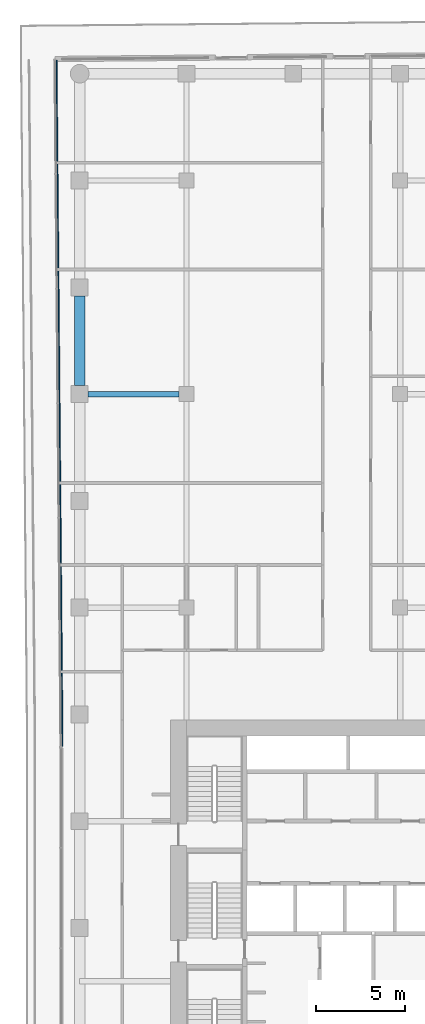
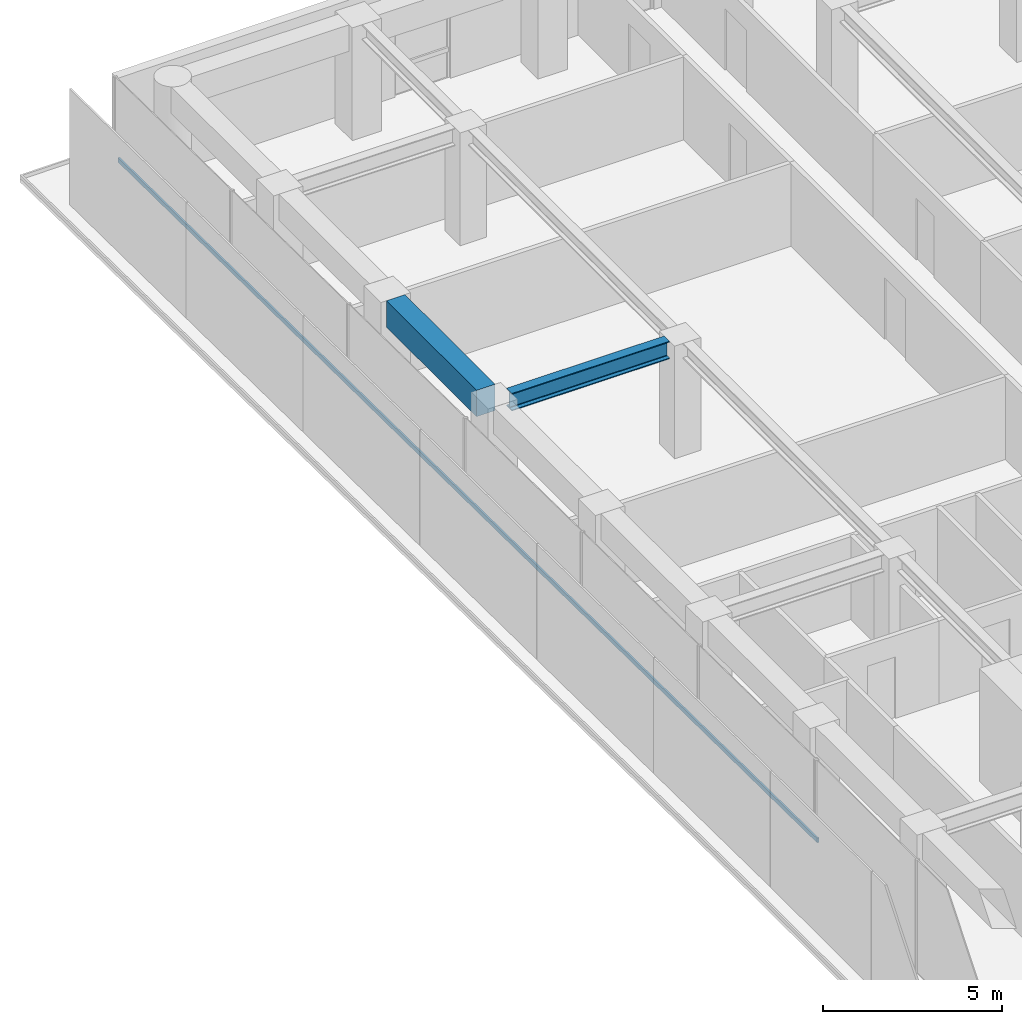
# One storey, part 15 of 28: 2 beams, 1 member, 1 element without a shape of its own.
"""IFC4 building model written with IfcOpenShell, lengths in metres."""

from ifc_helpers import new_model, si_unit, direction, frame, origin, origin_2d, place, context, subcontext, project, spatial, rectangle, i_section, extrude, material, layer, layer_set, material_profile, profile_set, type_object, element, aggregate, save


model = new_model("IFC4")

# Units and contexts
model_context = context("Model", 3, precision=1e-05, world=origin(), true_north=direction((0.0, 1.0)))
body_context = subcontext(model_context, "Body", "Model", "MODEL_VIEW")
ifc_project = project(units=[si_unit("LENGTHUNIT", "METRE"), si_unit("AREAUNIT", "SQUARE_METRE"), si_unit("VOLUMEUNIT", "CUBIC_METRE"), si_unit("PLANEANGLEUNIT", "RADIAN"), si_unit("MASSUNIT", "GRAM", prefix="KILO")], contexts=[model_context])

# Site, building, storey
site_placement = place(None, origin())
site = spatial("IfcSite", under=ifc_project, at=site_placement, CompositionType="ELEMENT")
building_placement = place(site_placement, origin())
building = spatial("IfcBuilding", under=site, at=building_placement, Name="Welwitschia Terrace Campus", CompositionType="ELEMENT")
storey_placement = place(building_placement, frame((0.0, 0.0, 54.199951171875)))
storey = spatial("IfcBuildingStorey", under=building, at=storey_placement, Name="L12", CompositionType="ELEMENT", Elevation=54.199951171875)

# Beams
ifc_material_1 = material(Name="Steel S355", Category="steel")
ifc_material_profile_1 = material_profile(ifc_material_1, i_section(OverallWidth=0.300048828125, OverallDepth=0.60009765625, WebThickness=0.015380859375, FlangeThickness=0.030029296875, FilletRadius=0.027099609375, at=origin_2d()))
ifc_profile_set_1 = profile_set([ifc_material_profile_1], Name="Steel S355")
beam_type_1 = type_object("IfcBeamType", Name="Primary beam HE 600 B", PredefinedType="BEAM", material=ifc_profile_set_1)
beam_1_placement = place(storey_placement, frame((0.4755859375, 44.0, 3.550048828125), z_axis=(1.0, 0.0, 0.0), x_axis=(0.0, 1.0, 0.0)))
element("IfcBeam", 1, at=beam_1_placement, inside=storey, type_object=beam_type_1, Name="Primary beam PB2", PredefinedType="BEAM", context=body_context, shape_type="SweptSolid", body=[
    extrude(i_section(OverallWidth=0.300048828125, OverallDepth=0.60009765625, WebThickness=0.015380859375, FlangeThickness=0.030029296875, FilletRadius=0.027099609375, at=origin_2d()), origin(), (0.0, 0.0, 1.0), 5.098876953125),
])
ifc_material_2 = material(Name="Concrete C60/75", Category="concrete")
ifc_material_profile_2 = material_profile(ifc_material_2, rectangle(XDim=0.60009765625, YDim=0.89990234375, at=origin_2d()))
ifc_profile_set_2 = profile_set([ifc_material_profile_2], Name="Concrete C60/75")
beam_type_2 = type_object("IfcBeamType", Name="Ring spandrel 600x900", PredefinedType="SPANDREL", material=ifc_profile_set_2)
beam_2_placement = place(storey_placement, frame((0.0, 49.5244140625, 3.400146484375), z_axis=(0.0, -1.0, 0.0), x_axis=(1.0, 0.0, 0.0)))
element("IfcBeam", 2, at=beam_2_placement, inside=storey, type_object=beam_type_2, Name="Spandrel SP2", PredefinedType="SPANDREL", context=body_context, shape_type="SweptSolid", body=[
    extrude(rectangle(XDim=0.60009765625, YDim=0.89990234375, at=origin_2d()), origin(), (0.0, 0.0, 1.0), 5.048828125),
])

# Curtain wall, member
ifc_material_3 = material(Name="Bronze anodised aluminium", Category="aluminium")
ifc_layer = layer(ifc_material_3, 0.1201171875)
ifc_layer_set = layer_set([ifc_layer], Name="Bronze anodised aluminium")
curtain_wall_type = type_object("IfcCurtainWallType", Name="Curtain wall CW2 tower 6000", PredefinedType="NOTDEFINED", material=ifc_layer_set)
curtain_wall_placement = place(storey_placement, origin())
curtain_wall = element("IfcCurtainWall", 3, at=curtain_wall_placement, inside=storey, type_object=curtain_wall_type, Name="CW L12.0.0", PredefinedType="NOTDEFINED")
ifc_material_4 = material(Name="Bronze anodised aluminium", Category="aluminium")
ifc_material_profile_3 = material_profile(ifc_material_4, rectangle(XDim=0.06005859375, YDim=0.14990234375, at=origin_2d()))
ifc_profile_set_3 = profile_set([ifc_material_profile_3], Name="Bronze anodised aluminium")
member_type = type_object("IfcMemberType", Name="Transom 60x150", PredefinedType="USERDEFINED", material=ifc_profile_set_3)
member_placement = place(storey_placement, frame((-1.3046875, 62.75, 1.0), z_axis=(0.008725350626, -0.999961933404, 0.0), x_axis=(0.999961933404, 0.008725350626, 0.0)))
member = element("IfcMember", 4, at=member_placement, type_object=member_type, Name="Transom L12.0.0", ObjectType="TRANSOM", PredefinedType="USERDEFINED", context=body_context, shape_type="SweptSolid", body=[
    extrude(rectangle(XDim=0.06005859375, YDim=0.14990234375, at=origin_2d()), origin(), (0.0, 0.0, 1.0), 38.529296875),
])
aggregate(curtain_wall, [member])

save(model, "model.ifc")
